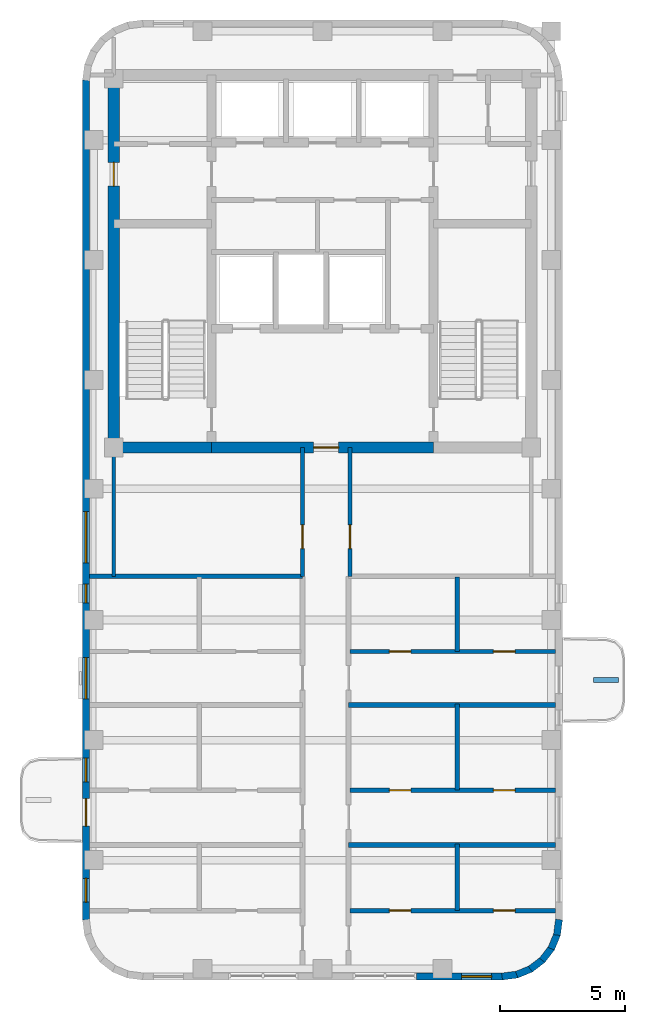
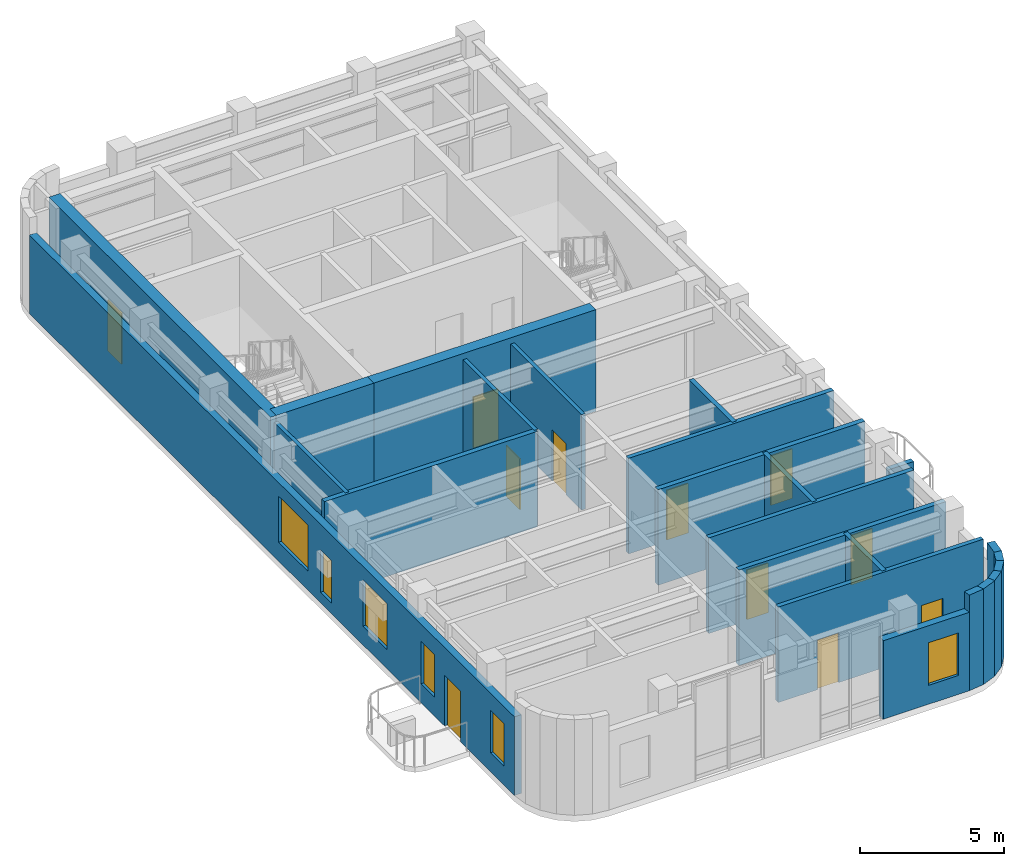
# One storey, part 3 of 6: 24 walls, 11 doors, 6 windows, 17 openings.
"""IFC4 building model written with IfcOpenShell, lengths in metres."""

from ifc_helpers import new_model, si_unit, direction, frame, frame_2d, origin, place, context, subcontext, project, spatial, rectangle, extrude, material, layer, layer_set, type_object, element, fill, save


model = new_model("IFC4")

# Units and contexts
model_context = context("Model", 3, precision=1e-05, world=origin(), true_north=direction((0.0, 1.0)))
body_context = subcontext(model_context, "Body", "Model", "MODEL_VIEW")
ifc_project = project(units=[si_unit("LENGTHUNIT", "METRE"), si_unit("AREAUNIT", "SQUARE_METRE"), si_unit("VOLUMEUNIT", "CUBIC_METRE"), si_unit("PLANEANGLEUNIT", "RADIAN"), si_unit("MASSUNIT", "GRAM", prefix="KILO")], contexts=[model_context])

# Site, building, storey
site_placement = place(None, origin())
site = spatial("IfcSite", under=ifc_project, at=site_placement, CompositionType="ELEMENT")
building_placement = place(site_placement, origin())
building = spatial("IfcBuilding", under=site, at=building_placement, Name="Orvandelia Arch Residences", CompositionType="ELEMENT")
storey_placement = place(building_placement, frame((0.0, 0.0, 252.699951171875)))
storey = spatial("IfcBuildingStorey", under=building, at=storey_placement, Name="L66", CompositionType="ELEMENT", Elevation=252.699951171875)

# Wall, opening, door
ifc_material_1 = material(Name="Concrete C50/60", Category="concrete")
ifc_layer_1 = layer(ifc_material_1, 0.449951171875, Name="Concrete C50/60", Category="concrete")
ifc_layer_set_1 = layer_set([ifc_layer_1], Name="Concrete C50/60")
wall_type_1 = type_object("IfcWallType", Name="WL-CORE-450", PredefinedType="SHEAR", material=ifc_layer_set_1)
wall_1_placement = place(storey_placement, frame((6.050048828125, 30.675048828125, 0.0), z_axis=(0.0, 0.0, 1.0), x_axis=(0.0, 1.0, 0.0)))
wall_1 = element("IfcWall", 1, at=wall_1_placement, inside=storey, type_object=wall_type_1, Name="Core Shear Wall L66-W", PredefinedType="SHEAR", context=body_context, shape_type="SweptSolid", body=[
    extrude(rectangle(XDim=15.349853515625, YDim=0.449951171875, at=frame_2d((7.6748046875, 0.0))), origin(), (0.0, 0.0, 1.0), 4.300048828125),
])
opening_1_placement = place(wall_1_placement, frame((10.675048828125, 0.0, 0.0)))
opening_1 = element("IfcOpeningElement", 2, at=opening_1_placement, cuts=wall_1, Name="Opening D2", PredefinedType="OPENING", context=body_context, shape_type="SweptSolid", body=[
    extrude(rectangle(XDim=0.949951171875, YDim=2.14990234375, at=frame_2d((0.47509765625, 1.074951171875))), frame((0.0, 0.23486328125, 0.0), z_axis=(0.0, -1.0, 0.0), x_axis=(1.0, 0.0, 0.0)), (0.0, 0.0, 1.0), 0.469970703125),
])
ifc_material_2 = material(Name="Solid-Core Timber Interior Fire Door", Category="wood")
door_type_1 = type_object("IfcDoorType", Name="DR-APT-950", OperationType="NOTDEFINED", PredefinedType="DOOR", material=ifc_material_2)
door_1_placement = place(opening_1_placement, origin())
door_1 = element("IfcDoor", 3, at=door_1_placement, inside=storey, type_object=door_type_1, Name="West Viewing Study Door L66", OperationType="SINGLE_SWING_RIGHT", OverallHeight=2.14990234375, OverallWidth=0.949951171875, PredefinedType="DOOR", context=body_context, shape_type="SweptSolid", body=[
    extrude(rectangle(XDim=0.949951171875, YDim=2.14990234375, at=frame_2d((0.47509765625, 1.074951171875))), frame((0.0, 0.02490234375, 0.0), z_axis=(0.0, -1.0, 0.0), x_axis=(1.0, 0.0, 0.0)), (0.0, 0.0, 1.0), 0.050048828125),
])
fill(opening_1, door_1)

# Wall
wall_2_placement = place(storey_placement, frame((6.050048828125, 30.89990234375, 0.0), z_axis=(0.0, 0.0, 1.0), x_axis=(1.0, 0.0, 0.0)))
element("IfcWall", 4, at=wall_2_placement, inside=storey, type_object=wall_type_1, Name="Core Shear Wall L66-SW", PredefinedType="SHEAR", context=body_context, shape_type="SweptSolid", body=[
    extrude(rectangle(XDim=3.909912109375, YDim=0.449951171875, at=frame_2d((1.955078125, 0.0))), origin(), (0.0, 0.0, 1.0), 4.300048828125),
])

# Wall, opening, door
wall_3_placement = place(storey_placement, frame((9.9599609375, 30.89990234375, 0.0), z_axis=(0.0, 0.0, 1.0), x_axis=(1.0, 0.0, 0.0)))
wall_3 = element("IfcWall", 5, at=wall_3_placement, inside=storey, type_object=wall_type_1, Name="Core Shear Wall L66-SM", PredefinedType="SHEAR", context=body_context, shape_type="SweptSolid", body=[
    extrude(rectangle(XDim=8.880126953125, YDim=0.449951171875, at=frame_2d((4.43994140625, 0.0))), origin(), (0.0, 0.0, 1.0), 4.300048828125),
])
opening_2_placement = place(wall_3_placement, frame((4.090087890625, 0.0, 0.0)))
opening_2 = element("IfcOpeningElement", 6, at=opening_2_placement, cuts=wall_3, Name="Opening D6", PredefinedType="OPENING", context=body_context, shape_type="SweptSolid", body=[
    extrude(rectangle(XDim=1.0, YDim=2.14990234375, at=frame_2d((0.5, 1.074951171875))), frame((0.0, 0.23486328125, 0.0), z_axis=(0.0, -1.0, 0.0), x_axis=(1.0, 0.0, 0.0)), (0.0, 0.0, 1.0), 0.469970703125),
])
ifc_material_3 = material(Name="Smokeproof Painted Steel Fire Door", Category="steel")
door_type_2 = type_object("IfcDoorType", Name="DR-FD60-1000", OperationType="NOTDEFINED", PredefinedType="DOOR", material=ifc_material_3)
door_2_placement = place(opening_2_placement, origin())
door_2 = element("IfcDoor", 7, at=door_2_placement, inside=storey, type_object=door_type_2, Name="Firefighting Lobby Smokeproof Door L66", OperationType="SINGLE_SWING_LEFT", OverallHeight=2.14990234375, OverallWidth=1.0, PredefinedType="DOOR", context=body_context, shape_type="SweptSolid", body=[
    extrude(rectangle(XDim=1.0, YDim=2.14990234375, at=frame_2d((0.5, 1.074951171875))), frame((0.0, 0.02490234375, 0.0), z_axis=(0.0, -1.0, 0.0), x_axis=(1.0, 0.0, 0.0)), (0.0, 0.0, 1.0), 0.050048828125),
])
fill(opening_2, door_2)

# Walls
ifc_material_4 = material(Name="Fire-Rated Corridor Partition")
ifc_layer_2 = layer(ifc_material_4, 0.199951171875, Name="Fire-Rated Corridor Partition")
ifc_layer_set_2 = layer_set([ifc_layer_2], Name="Fire-Rated Corridor Partition")
wall_type_2 = type_object("IfcWallType", Name="WL-CORR-200", PredefinedType="PARTITIONING", material=ifc_layer_set_2)
wall_4_placement = place(storey_placement, frame((5.080078125, 25.75, 0.0), z_axis=(0.0, 0.0, 1.0), x_axis=(1.0, 0.0, 0.0)))
element("IfcWall", 8, at=wall_4_placement, inside=storey, type_object=wall_type_2, Name="Interior Partition Wall WL-L66-WCLS-W", PredefinedType="PARTITIONING", context=body_context, shape_type="SweptSolid", body=[
    extrude(rectangle(XDim=8.52001953125, YDim=0.199951171875, at=frame_2d((4.260009765625, 0.0))), origin(), (0.0, 0.0, 1.0), 4.0400390625),
])
ifc_material_5 = material(Name="Concrete C40/50", Category="concrete")
ifc_layer_3 = layer(ifc_material_5, 0.199951171875, Name="Concrete C40/50", Category="concrete")
ifc_layer_set_3 = layer_set([ifc_layer_3], Name="Concrete C40/50")
wall_type_3 = type_object("IfcWallType", Name="WL-DEM-200", PredefinedType="SOLIDWALL", material=ifc_layer_set_3)
for number, where, z_axis, x_axis, name in (
    (9, (15.449951171875, 15.0, 0.0), (0.0, 0.0, 1.0), (1.0, 0.0, 0.0), "Interior Partition Wall WL-L66-DEM-WR-150"),
    (10, (15.449951171875, 20.60009765625, 0.0), (0.0, 0.0, 1.0), (1.0, 0.0, 0.0), "Interior Partition Wall WL-L66-DEM-WR-206"),
):
    element("IfcWall", number, at=place(storey_placement, frame(where, z_axis=z_axis, x_axis=x_axis)), inside=storey, type_object=wall_type_3, Name=name, PredefinedType="SOLIDWALL", context=body_context, shape_type="SweptSolid", body=[
        extrude(rectangle(XDim=8.27001953125, YDim=0.199951171875, at=frame_2d((4.135009765625, 0.0))), origin(), (0.0, 0.0, 1.0), 4.0400390625),
    ])
ifc_material_6 = material(Name="Precast concrete C40/50", Category="concrete")
ifc_layer_4 = layer(ifc_material_6, 0.280029296875, Name="Precast concrete C40/50", Category="concrete")
ifc_layer_set_4 = layer_set([ifc_layer_4], Name="Precast concrete C40/50")
wall_type_4 = type_object("IfcWallType", Name="WL-EXT-STONE-280", PredefinedType="STANDARD", material=ifc_layer_set_4)
for number, where, z_axis, x_axis, name in (
    (11, (23.861083984375, 12.018310546875, 0.0), (0.0, 0.0, 1.0), (-0.130555323746, -0.9914410257, 0.0), "Coral-Limestone Precast Facade Wall L66-015"),
    (12, (23.788818359375, 11.432373046875, 0.0), (0.0, 0.0, 1.0), (-0.382317370307, -0.924031075431, 0.0), "Coral-Limestone Precast Facade Wall L66-016"),
    (13, (23.5673828125, 10.88525390625, 0.0), (0.0, 0.0, 1.0), (-0.608693302629, -0.793405610854, 0.0), "Coral-Limestone Precast Facade Wall L66-017"),
    (14, (23.2119140625, 10.4140625, 0.0), (0.0, 0.0, 1.0), (-0.793405610854, -0.608693302629, 0.0), "Coral-Limestone Precast Facade Wall L66-018"),
    (15, (22.746337890625, 10.05078125, 0.0), (0.0, 0.0, 1.0), (-0.92389335771, -0.382650053678, 0.0), "Coral-Limestone Precast Facade Wall L66-019"),
    (16, (22.202880859375, 9.820556640625, 0.0), (0.0, 0.0, 1.0), (-0.9914410257, -0.130555323746, 0.0), "Coral-Limestone Precast Facade Wall L66-020"),
):
    element("IfcWall", number, at=place(storey_placement, frame(where, z_axis=z_axis, x_axis=x_axis)), inside=storey, type_object=wall_type_4, Name=name, PredefinedType="STANDARD", context=body_context, shape_type="SweptSolid", body=[
        extrude(rectangle(XDim=0.62646484375, YDim=0.280029296875, at=frame_2d((0.313232421875, 0.0))), origin(), (0.0, 0.0, 1.0), 4.0400390625),
    ])

# Wall, opening, window
wall_5_placement = place(storey_placement, frame((21.60009765625, 9.739990234375, 0.0), z_axis=(0.0, 0.0, 1.0), x_axis=(-1.0, 0.0, 0.0)))
wall_5 = element("IfcWall", 17, at=wall_5_placement, inside=storey, type_object=wall_type_4, Name="Coral-Limestone Precast Facade Wall L66-021", PredefinedType="STANDARD", context=body_context, shape_type="SweptSolid", body=[
    extrude(rectangle(XDim=3.440185546875, YDim=0.280029296875, at=frame_2d((1.72021484375, 0.0))), origin(), (0.0, 0.0, 1.0), 3.320068359375),
])
opening_3_placement = place(wall_5_placement, frame((0.4326171875, 0.0, 0.800048828125)))
opening_3 = element("IfcOpeningElement", 18, at=opening_3_placement, cuts=wall_5, Name="Opening W3", PredefinedType="OPENING", context=body_context, shape_type="SweptSolid", body=[
    extrude(rectangle(XDim=1.199951171875, YDim=1.800048828125, at=frame_2d((0.60009765625, 0.89990234375))), frame((0.0, 0.14990234375, 0.0), z_axis=(0.0, -1.0, 0.0), x_axis=(1.0, 0.0, 0.0)), (0.0, 0.0, 1.0), 0.300048828125),
])
ifc_material_7 = material(Name="Tempered Low-E Insulated Glazing", Category="glass")
window_type_1 = type_object("IfcWindowType", Name="WIN-RES-1200x1800", PartitioningType="SINGLE_PANEL", PredefinedType="WINDOW", material=ifc_material_7)
window_1_placement = place(opening_3_placement, origin())
window_1 = element("IfcWindow", 19, at=window_1_placement, inside=storey, type_object=window_type_1, Name="Recessed Punched Window L66-007", OverallHeight=1.800048828125, OverallWidth=1.199951171875, PartitioningType="SINGLE_PANEL", PredefinedType="WINDOW", context=body_context, shape_type="SweptSolid", body=[
    extrude(rectangle(XDim=1.199951171875, YDim=1.800048828125, at=frame_2d((0.60009765625, 0.89990234375))), frame((0.0, 0.030029296875, 0.0), z_axis=(0.0, -1.0, 0.0), x_axis=(1.0, 0.0, 0.0)), (0.0, 0.0, 1.0), 0.06005859375),
])
fill(opening_3, window_1)

# Wall, openings, door, windows
wall_6_placement = place(storey_placement, frame((4.93994140625, 12.0, 0.0), z_axis=(0.0, 0.0, 1.0), x_axis=(0.0, 1.0, 0.0)))
wall_6 = element("IfcWall", 20, at=wall_6_placement, inside=storey, type_object=wall_type_4, Name="Coral-Limestone Precast Facade Wall L66-030", PredefinedType="STANDARD", context=body_context, shape_type="SweptSolid", body=[
    extrude(rectangle(XDim=33.60009765625, YDim=0.280029296875, at=frame_2d((16.800048828125, 0.0))), origin(), (0.0, 0.0, 1.0), 3.320068359375),
])
opening_4_placement = place(wall_6_placement, frame((3.75, 0.0, 0.0)))
opening_4 = element("IfcOpeningElement", 21, at=opening_4_placement, cuts=wall_6, Name="Opening BD1", PredefinedType="OPENING", context=body_context, shape_type="SweptSolid", body=[
    extrude(rectangle(XDim=1.10009765625, YDim=2.14990234375, at=frame_2d((0.550048828125, 1.074951171875))), frame((0.0, 0.14990234375, 0.0), z_axis=(0.0, -1.0, 0.0), x_axis=(1.0, 0.0, 0.0)), (0.0, 0.0, 1.0), 0.300048828125),
])
opening_5_placement = place(wall_6_placement, frame((8.844970703125, 0.0, 0.800048828125)))
opening_5 = element("IfcOpeningElement", 22, at=opening_5_placement, cuts=wall_6, Name="Opening W9", PredefinedType="OPENING", context=body_context, shape_type="SweptSolid", body=[
    extrude(rectangle(XDim=1.64990234375, YDim=1.949951171875, at=frame_2d((0.824951171875, 0.97509765625))), frame((0.0, 0.14990234375, 0.0), z_axis=(0.0, -1.0, 0.0), x_axis=(1.0, 0.0, 0.0)), (0.0, 0.0, 1.0), 0.300048828125),
])
opening_6_placement = place(wall_6_placement, frame((0.715576171875, 0.0, 0.800048828125)))
opening_6 = element("IfcOpeningElement", 23, at=opening_6_placement, cuts=wall_6, Name="Opening W4", PredefinedType="OPENING", context=body_context, shape_type="SweptSolid", body=[
    extrude(rectangle(XDim=0.949951171875, YDim=1.800048828125, at=frame_2d((0.47509765625, 0.89990234375))), frame((0.0, 0.14990234375, 0.0), z_axis=(0.0, -1.0, 0.0), x_axis=(1.0, 0.0, 0.0)), (0.0, 0.0, 1.0), 0.300048828125),
])
opening_7_placement = place(wall_6_placement, frame((5.5234375, 0.0, 0.800048828125)))
opening_7 = element("IfcOpeningElement", 24, at=opening_7_placement, cuts=wall_6, Name="Opening W4", PredefinedType="OPENING", context=body_context, shape_type="SweptSolid", body=[
    extrude(rectangle(XDim=0.949951171875, YDim=1.800048828125, at=frame_2d((0.47509765625, 0.89990234375))), frame((0.0, 0.14990234375, 0.0), z_axis=(0.0, -1.0, 0.0), x_axis=(1.0, 0.0, 0.0)), (0.0, 0.0, 1.0), 0.300048828125),
])
opening_8_placement = place(wall_6_placement, frame((12.6826171875, 0.0, 0.449951171875)))
opening_8 = element("IfcOpeningElement", 25, at=opening_8_placement, cuts=wall_6, Name="Opening W11", PredefinedType="OPENING", context=body_context, shape_type="SweptSolid", body=[
    extrude(rectangle(XDim=0.75, YDim=1.800048828125, at=frame_2d((0.375, 0.89990234375))), frame((0.0, 0.14990234375, 0.0), z_axis=(0.0, -1.0, 0.0), x_axis=(1.0, 0.0, 0.0)), (0.0, 0.0, 1.0), 0.300048828125),
])
opening_9_placement = place(wall_6_placement, frame((14.282470703125, 0.0, 0.800048828125)))
opening_9 = element("IfcOpeningElement", 26, at=opening_9_placement, cuts=wall_6, Name="Opening W8", PredefinedType="OPENING", context=body_context, shape_type="SweptSolid", body=[
    extrude(rectangle(XDim=2.050048828125, YDim=1.949951171875, at=frame_2d((1.02490234375, 0.97509765625))), frame((0.0, 0.14990234375, 0.0), z_axis=(0.0, -1.0, 0.0), x_axis=(1.0, 0.0, 0.0)), (0.0, 0.0, 1.0), 0.300048828125),
])
ifc_material_8 = material(Name="Thermally Broken Aluminium Glazed Door", Category="aluminium")
door_type_3 = type_object("IfcDoorType", Name="DR-BAL-GLAZ-1100", OperationType="NOTDEFINED", PredefinedType="DOOR", material=ifc_material_8)
door_3_placement = place(opening_4_placement, origin())
door_3 = element("IfcDoor", 27, at=door_3_placement, inside=storey, type_object=door_type_3, Name="Tree Balcony Glazed Door BAL-L66-W1", OperationType="SINGLE_SWING_RIGHT", OverallHeight=2.14990234375, OverallWidth=1.10009765625, PredefinedType="DOOR", context=body_context, shape_type="SweptSolid", body=[
    extrude(rectangle(XDim=1.10009765625, YDim=2.14990234375, at=frame_2d((0.550048828125, 1.074951171875))), frame((0.0, 0.02490234375, 0.0), z_axis=(0.0, -1.0, 0.0), x_axis=(1.0, 0.0, 0.0)), (0.0, 0.0, 1.0), 0.050048828125),
])
fill(opening_4, door_3)
window_type_2 = type_object("IfcWindowType", Name="WIN-BED-0750x1800", PartitioningType="SINGLE_PANEL", PredefinedType="WINDOW", material=ifc_material_7)
window_2_placement = place(opening_8_placement, origin())
window_2 = element("IfcWindow", 28, at=window_2_placement, inside=storey, type_object=window_type_2, Name="Recessed Punched Window L66-012", OverallHeight=1.800048828125, OverallWidth=0.75, PartitioningType="SINGLE_PANEL", PredefinedType="WINDOW", context=body_context, shape_type="SweptSolid", body=[
    extrude(rectangle(XDim=0.75, YDim=1.800048828125, at=frame_2d((0.375, 0.89990234375))), frame((0.0, 0.030029296875, 0.0), z_axis=(0.0, -1.0, 0.0), x_axis=(1.0, 0.0, 0.0)), (0.0, 0.0, 1.0), 0.06005859375),
])
fill(opening_8, window_2)
window_type_3 = type_object("IfcWindowType", Name="WIN-RES-0950x1800", PartitioningType="SINGLE_PANEL", PredefinedType="WINDOW", material=ifc_material_7)
window_3_placement = place(opening_6_placement, origin())
window_3 = element("IfcWindow", 29, at=window_3_placement, inside=storey, type_object=window_type_3, Name="Recessed Punched Window L66-010", OverallHeight=1.800048828125, OverallWidth=0.949951171875, PartitioningType="SINGLE_PANEL", PredefinedType="WINDOW", context=body_context, shape_type="SweptSolid", body=[
    extrude(rectangle(XDim=0.949951171875, YDim=1.800048828125, at=frame_2d((0.47509765625, 0.89990234375))), frame((0.0, 0.030029296875, 0.0), z_axis=(0.0, -1.0, 0.0), x_axis=(1.0, 0.0, 0.0)), (0.0, 0.0, 1.0), 0.06005859375),
])
fill(opening_6, window_3)
window_4_placement = place(opening_7_placement, origin())
window_4 = element("IfcWindow", 30, at=window_4_placement, inside=storey, type_object=window_type_3, Name="Recessed Punched Window L66-011", OverallHeight=1.800048828125, OverallWidth=0.949951171875, PartitioningType="SINGLE_PANEL", PredefinedType="WINDOW", context=body_context, shape_type="SweptSolid", body=[
    extrude(rectangle(XDim=0.949951171875, YDim=1.800048828125, at=frame_2d((0.47509765625, 0.89990234375))), frame((0.0, 0.030029296875, 0.0), z_axis=(0.0, -1.0, 0.0), x_axis=(1.0, 0.0, 0.0)), (0.0, 0.0, 1.0), 0.06005859375),
])
fill(opening_7, window_4)
window_type_4 = type_object("IfcWindowType", Name="WIN-UPP-1650x1950", PartitioningType="SINGLE_PANEL", PredefinedType="WINDOW", material=ifc_material_7)
window_5_placement = place(opening_5_placement, origin())
window_5 = element("IfcWindow", 31, at=window_5_placement, inside=storey, type_object=window_type_4, Name="Recessed Punched Window L66-009", OverallHeight=1.949951171875, OverallWidth=1.64990234375, PartitioningType="SINGLE_PANEL", PredefinedType="WINDOW", context=body_context, shape_type="SweptSolid", body=[
    extrude(rectangle(XDim=1.64990234375, YDim=1.949951171875, at=frame_2d((0.824951171875, 0.97509765625))), frame((0.0, 0.030029296875, 0.0), z_axis=(0.0, -1.0, 0.0), x_axis=(1.0, 0.0, 0.0)), (0.0, 0.0, 1.0), 0.06005859375),
])
fill(opening_5, window_5)
window_type_5 = type_object("IfcWindowType", Name="WIN-UPP-2050x1950", PartitioningType="SINGLE_PANEL", PredefinedType="WINDOW", material=ifc_material_7)
window_6_placement = place(opening_9_placement, origin())
window_6 = element("IfcWindow", 32, at=window_6_placement, inside=storey, type_object=window_type_5, Name="Recessed Punched Window L66-013", OverallHeight=1.949951171875, OverallWidth=2.050048828125, PartitioningType="SINGLE_PANEL", PredefinedType="WINDOW", context=body_context, shape_type="SweptSolid", body=[
    extrude(rectangle(XDim=2.050048828125, YDim=1.949951171875, at=frame_2d((1.02490234375, 0.97509765625))), frame((0.0, 0.030029296875, 0.0), z_axis=(0.0, -1.0, 0.0), x_axis=(1.0, 0.0, 0.0)), (0.0, 0.0, 1.0), 0.06005859375),
])
fill(opening_9, window_6)

# Wall, opening, door
ifc_material_9 = material(Name="Acoustic Gypsum Stud Partition")
ifc_layer_5 = layer(ifc_material_9, 0.14990234375, Name="Acoustic Gypsum Stud Partition")
ifc_layer_set_5 = layer_set([ifc_layer_5], Name="Acoustic Gypsum Stud Partition")
wall_type_5 = type_object("IfcWallType", Name="WL-PART-150", PredefinedType="PARTITIONING", material=ifc_layer_set_5)
wall_7_placement = place(storey_placement, frame((13.60009765625, 25.75, 0.0), z_axis=(0.0, 0.0, 1.0), x_axis=(0.0, 1.0, 0.0)))
wall_7 = element("IfcWall", 33, at=wall_7_placement, inside=storey, type_object=wall_type_5, Name="Interior Partition Wall WL-L66-HI-W1", PredefinedType="PARTITIONING", context=body_context, shape_type="SweptSolid", body=[
    extrude(rectangle(XDim=5.14990234375, YDim=0.14990234375, at=frame_2d((2.574951171875, 0.0))), origin(), (0.0, 0.0, 1.0), 4.0400390625),
])
opening_10_placement = place(wall_7_placement, frame((1.10009765625, 0.0, 0.0)))
opening_10 = element("IfcOpeningElement", 34, at=opening_10_placement, cuts=wall_7, Name="Opening D2", PredefinedType="OPENING", context=body_context, shape_type="SweptSolid", body=[
    extrude(rectangle(XDim=0.949951171875, YDim=2.14990234375, at=frame_2d((0.47509765625, 1.074951171875))), frame((0.0, 0.0849609375, 0.0), z_axis=(0.0, -1.0, 0.0), x_axis=(1.0, 0.0, 0.0)), (0.0, 0.0, 1.0), 0.169921875),
])
door_4_placement = place(opening_10_placement, origin())
door_4 = element("IfcDoor", 35, at=door_4_placement, inside=storey, type_object=door_type_1, Name="DR-L66-HIR1", OperationType="SINGLE_SWING_LEFT", OverallHeight=2.14990234375, OverallWidth=0.949951171875, PredefinedType="DOOR", context=body_context, shape_type="SweptSolid", body=[
    extrude(rectangle(XDim=0.949951171875, YDim=2.14990234375, at=frame_2d((0.47509765625, 1.074951171875))), frame((0.0, 0.02490234375, 0.0), z_axis=(0.0, -1.0, 0.0), x_axis=(1.0, 0.0, 0.0)), (0.0, 0.0, 1.0), 0.050048828125),
])
fill(opening_10, door_4)

wall_8_placement = place(storey_placement, frame((15.5, 25.75, 0.0), z_axis=(0.0, 0.0, 1.0), x_axis=(0.0, 1.0, 0.0)))
wall_8 = element("IfcWall", 36, at=wall_8_placement, inside=storey, type_object=wall_type_5, Name="Interior Partition Wall WL-L66-HI-W2", PredefinedType="PARTITIONING", context=body_context, shape_type="SweptSolid", body=[
    extrude(rectangle(XDim=5.14990234375, YDim=0.14990234375, at=frame_2d((2.574951171875, 0.0))), origin(), (0.0, 0.0, 1.0), 4.0400390625),
])
opening_11_placement = place(wall_8_placement, frame((1.10009765625, 0.0, 0.0)))
opening_11 = element("IfcOpeningElement", 37, at=opening_11_placement, cuts=wall_8, Name="Opening D2", PredefinedType="OPENING", context=body_context, shape_type="SweptSolid", body=[
    extrude(rectangle(XDim=0.949951171875, YDim=2.14990234375, at=frame_2d((0.47509765625, 1.074951171875))), frame((0.0, 0.0849609375, 0.0), z_axis=(0.0, -1.0, 0.0), x_axis=(1.0, 0.0, 0.0)), (0.0, 0.0, 1.0), 0.169921875),
])
door_5_placement = place(opening_11_placement, origin())
door_5 = element("IfcDoor", 38, at=door_5_placement, inside=storey, type_object=door_type_1, Name="DR-L66-HIR2", OperationType="SINGLE_SWING_RIGHT", OverallHeight=2.14990234375, OverallWidth=0.949951171875, PredefinedType="DOOR", context=body_context, shape_type="SweptSolid", body=[
    extrude(rectangle(XDim=0.949951171875, YDim=2.14990234375, at=frame_2d((0.47509765625, 1.074951171875))), frame((0.0, 0.02490234375, 0.0), z_axis=(0.0, -1.0, 0.0), x_axis=(1.0, 0.0, 0.0)), (0.0, 0.0, 1.0), 0.050048828125),
])
fill(opening_11, door_5)

# Walls
wall_9_placement = place(storey_placement, frame((6.050048828125, 25.75, 0.0), z_axis=(0.0, 0.0, 1.0), x_axis=(0.0, 1.0, 0.0)))
element("IfcWall", 39, at=wall_9_placement, inside=storey, type_object=wall_type_5, Name="Interior Partition Wall WL-L66-HI-WW", PredefinedType="PARTITIONING", context=body_context, shape_type="SweptSolid", body=[
    extrude(rectangle(XDim=5.14990234375, YDim=0.14990234375, at=frame_2d((2.574951171875, 0.0))), origin(), (0.0, 0.0, 1.0), 4.0400390625),
])
ifc_layer_6 = layer(ifc_material_6, 0.199951171875, Name="Precast concrete C40/50", Category="concrete")
ifc_layer_set_6 = layer_set([ifc_layer_6], Name="Precast concrete C40/50")
wall_type_6 = type_object("IfcWallType", Name="WL-PLANTER-200", PredefinedType="MOVABLE", material=ifc_layer_set_6)
wall_10_placement = place(storey_placement, frame((25.25, 21.60009765625, 0.0), z_axis=(0.0, 0.0, 1.0), x_axis=(1.0, 0.0, 0.0)))
element("IfcWall", 40, at=wall_10_placement, inside=storey, type_object=wall_type_6, Name="Balcony Precast Tree Planter BAL-L66-W2", PredefinedType="MOVABLE", context=body_context, shape_type="SweptSolid", body=[
    extrude(rectangle(XDim=1.0, YDim=0.199951171875, at=frame_2d((0.5, 0.0))), origin(), (0.0, 0.0, 1.0), 0.85009765625),
])

# Wall, openings, doors
ifc_material_10 = material(Name="Moisture-Resistant Plumbing Wall")
ifc_layer_7 = layer(ifc_material_10, 0.179931640625, Name="Moisture-Resistant Plumbing Wall")
ifc_layer_set_7 = layer_set([ifc_layer_7], Name="Moisture-Resistant Plumbing Wall")
wall_type_7 = type_object("IfcWallType", Name="WL-WET-180", PredefinedType="PLUMBINGWALL", material=ifc_layer_set_7)
wall_11_placement = place(storey_placement, frame((15.510009765625, 12.3759765625, 0.0), z_axis=(0.0, 0.0, 1.0), x_axis=(1.0, 0.0, 0.0)))
wall_11 = element("IfcWall", 41, at=wall_11_placement, inside=storey, type_object=wall_type_7, Name="Interior Partition Wall WL-L66-U04-HZ", PredefinedType="PLUMBINGWALL", context=body_context, shape_type="SweptSolid", body=[
    extrude(rectangle(XDim=8.2099609375, YDim=0.179931640625, at=frame_2d((4.10498046875, 0.0))), origin(), (0.0, 0.0, 1.0), 4.0400390625),
])
opening_12_placement = place(wall_11_placement, frame((1.56494140625, 0.0, 0.0)))
opening_12 = element("IfcOpeningElement", 42, at=opening_12_placement, cuts=wall_11, Name="Opening D4", PredefinedType="OPENING", context=body_context, shape_type="SweptSolid", body=[
    extrude(rectangle(XDim=0.860107421875, YDim=2.10009765625, at=frame_2d((0.43017578125, 1.050048828125))), frame((0.0, 0.10009765625, 0.0), z_axis=(0.0, -1.0, 0.0), x_axis=(1.0, 0.0, 0.0)), (0.0, 0.0, 1.0), 0.199951171875),
])
opening_13_placement = place(wall_11_placement, frame((5.72998046875, 0.0, 0.0)))
opening_13 = element("IfcOpeningElement", 43, at=opening_13_placement, cuts=wall_11, Name="Opening D4", PredefinedType="OPENING", context=body_context, shape_type="SweptSolid", body=[
    extrude(rectangle(XDim=0.860107421875, YDim=2.10009765625, at=frame_2d((0.43017578125, 1.050048828125))), frame((0.0, 0.10009765625, 0.0), z_axis=(0.0, -1.0, 0.0), x_axis=(1.0, 0.0, 0.0)), (0.0, 0.0, 1.0), 0.199951171875),
])
ifc_material_11 = material(Name="Moisture-Sealed Timber Bathroom Door", Category="wood")
door_type_4 = type_object("IfcDoorType", Name="DR-WET-900", OperationType="NOTDEFINED", PredefinedType="DOOR", material=ifc_material_11)
door_6_placement = place(opening_12_placement, origin())
door_6 = element("IfcDoor", 44, at=door_6_placement, inside=storey, type_object=door_type_4, Name="DR-L66-U04-KIT", OperationType="SINGLE_SWING_RIGHT", OverallHeight=2.10009765625, OverallWidth=0.860107421875, PredefinedType="DOOR", context=body_context, shape_type="SweptSolid", body=[
    extrude(rectangle(XDim=0.860107421875, YDim=2.10009765625, at=frame_2d((0.43017578125, 1.050048828125))), frame((0.0, 0.02490234375, 0.0), z_axis=(0.0, -1.0, 0.0), x_axis=(1.0, 0.0, 0.0)), (0.0, 0.0, 1.0), 0.050048828125),
])
fill(opening_12, door_6)
door_7_placement = place(opening_13_placement, origin())
door_7 = element("IfcDoor", 45, at=door_7_placement, inside=storey, type_object=door_type_4, Name="DR-L66-U04-BTH", OperationType="SINGLE_SWING_LEFT", OverallHeight=2.10009765625, OverallWidth=0.860107421875, PredefinedType="DOOR", context=body_context, shape_type="SweptSolid", body=[
    extrude(rectangle(XDim=0.860107421875, YDim=2.10009765625, at=frame_2d((0.43017578125, 1.050048828125))), frame((0.0, 0.02490234375, 0.0), z_axis=(0.0, -1.0, 0.0), x_axis=(1.0, 0.0, 0.0)), (0.0, 0.0, 1.0), 0.050048828125),
])
fill(opening_13, door_7)

# Wall
wall_12_placement = place(storey_placement, frame((19.7900390625, 12.3759765625, 0.0), z_axis=(0.0, 0.0, 1.0), x_axis=(0.0, 1.0, 0.0)))
element("IfcWall", 46, at=wall_12_placement, inside=storey, type_object=wall_type_7, Name="Interior Partition Wall WL-L66-U04-V1", PredefinedType="PLUMBINGWALL", context=body_context, shape_type="SweptSolid", body=[
    extrude(rectangle(XDim=2.6640625, YDim=0.179931640625, at=frame_2d((1.33203125, 0.0))), origin(), (0.0, 0.0, 1.0), 4.0400390625),
])

# Wall, openings, doors
wall_13_placement = place(storey_placement, frame((15.510009765625, 17.19189453125, 0.0), z_axis=(0.0, 0.0, 1.0), x_axis=(1.0, 0.0, 0.0)))
wall_13 = element("IfcWall", 47, at=wall_13_placement, inside=storey, type_object=wall_type_7, Name="Interior Partition Wall WL-L66-U05-HZ", PredefinedType="PLUMBINGWALL", context=body_context, shape_type="SweptSolid", body=[
    extrude(rectangle(XDim=8.2099609375, YDim=0.179931640625, at=frame_2d((4.10498046875, 0.0))), origin(), (0.0, 0.0, 1.0), 4.0400390625),
])
opening_14_placement = place(wall_13_placement, frame((1.56494140625, 0.0, 0.0)))
opening_14 = element("IfcOpeningElement", 48, at=opening_14_placement, cuts=wall_13, Name="Opening D4", PredefinedType="OPENING", context=body_context, shape_type="SweptSolid", body=[
    extrude(rectangle(XDim=0.860107421875, YDim=2.10009765625, at=frame_2d((0.43017578125, 1.050048828125))), frame((0.0, 0.10009765625, 0.0), z_axis=(0.0, -1.0, 0.0), x_axis=(1.0, 0.0, 0.0)), (0.0, 0.0, 1.0), 0.199951171875),
])
opening_15_placement = place(wall_13_placement, frame((5.72998046875, 0.0, 0.0)))
opening_15 = element("IfcOpeningElement", 49, at=opening_15_placement, cuts=wall_13, Name="Opening D4", PredefinedType="OPENING", context=body_context, shape_type="SweptSolid", body=[
    extrude(rectangle(XDim=0.860107421875, YDim=2.10009765625, at=frame_2d((0.43017578125, 1.050048828125))), frame((0.0, 0.10009765625, 0.0), z_axis=(0.0, -1.0, 0.0), x_axis=(1.0, 0.0, 0.0)), (0.0, 0.0, 1.0), 0.199951171875),
])
door_8_placement = place(opening_14_placement, origin())
door_8 = element("IfcDoor", 50, at=door_8_placement, inside=storey, type_object=door_type_4, Name="DR-L66-U05-KIT", OperationType="SINGLE_SWING_LEFT", OverallHeight=2.10009765625, OverallWidth=0.860107421875, PredefinedType="DOOR", context=body_context, shape_type="SweptSolid", body=[
    extrude(rectangle(XDim=0.860107421875, YDim=2.10009765625, at=frame_2d((0.43017578125, 1.050048828125))), frame((0.0, 0.02490234375, 0.0), z_axis=(0.0, -1.0, 0.0), x_axis=(1.0, 0.0, 0.0)), (0.0, 0.0, 1.0), 0.050048828125),
])
fill(opening_14, door_8)
door_9_placement = place(opening_15_placement, origin())
door_9 = element("IfcDoor", 51, at=door_9_placement, inside=storey, type_object=door_type_4, Name="DR-L66-U05-BTH", OperationType="SINGLE_SWING_RIGHT", OverallHeight=2.10009765625, OverallWidth=0.860107421875, PredefinedType="DOOR", context=body_context, shape_type="SweptSolid", body=[
    extrude(rectangle(XDim=0.860107421875, YDim=2.10009765625, at=frame_2d((0.43017578125, 1.050048828125))), frame((0.0, 0.02490234375, 0.0), z_axis=(0.0, -1.0, 0.0), x_axis=(1.0, 0.0, 0.0)), (0.0, 0.0, 1.0), 0.050048828125),
])
fill(opening_15, door_9)

# Wall
wall_14_placement = place(storey_placement, frame((19.7900390625, 17.19189453125, 0.0), z_axis=(0.0, 0.0, 1.0), x_axis=(0.0, 1.0, 0.0)))
element("IfcWall", 52, at=wall_14_placement, inside=storey, type_object=wall_type_7, Name="Interior Partition Wall WL-L66-U05-V1", PredefinedType="PLUMBINGWALL", context=body_context, shape_type="SweptSolid", body=[
    extrude(rectangle(XDim=3.447998046875, YDim=0.179931640625, at=frame_2d((1.72412109375, 0.0))), origin(), (0.0, 0.0, 1.0), 4.0400390625),
])

# Wall, openings, doors
wall_15_placement = place(storey_placement, frame((15.510009765625, 22.739990234375, 0.0), z_axis=(0.0, 0.0, 1.0), x_axis=(1.0, 0.0, 0.0)))
wall_15 = element("IfcWall", 53, at=wall_15_placement, inside=storey, type_object=wall_type_7, Name="Interior Partition Wall WL-L66-U06-HZ", PredefinedType="PLUMBINGWALL", context=body_context, shape_type="SweptSolid", body=[
    extrude(rectangle(XDim=8.2099609375, YDim=0.179931640625, at=frame_2d((4.10498046875, 0.0))), origin(), (0.0, 0.0, 1.0), 4.0400390625),
])
opening_16_placement = place(wall_15_placement, frame((1.56494140625, 0.0, 0.0)))
opening_16 = element("IfcOpeningElement", 54, at=opening_16_placement, cuts=wall_15, Name="Opening D4", PredefinedType="OPENING", context=body_context, shape_type="SweptSolid", body=[
    extrude(rectangle(XDim=0.860107421875, YDim=2.10009765625, at=frame_2d((0.43017578125, 1.050048828125))), frame((0.0, 0.10009765625, 0.0), z_axis=(0.0, -1.0, 0.0), x_axis=(1.0, 0.0, 0.0)), (0.0, 0.0, 1.0), 0.199951171875),
])
opening_17_placement = place(wall_15_placement, frame((5.72998046875, 0.0, 0.0)))
opening_17 = element("IfcOpeningElement", 55, at=opening_17_placement, cuts=wall_15, Name="Opening D4", PredefinedType="OPENING", context=body_context, shape_type="SweptSolid", body=[
    extrude(rectangle(XDim=0.860107421875, YDim=2.10009765625, at=frame_2d((0.43017578125, 1.050048828125))), frame((0.0, 0.10009765625, 0.0), z_axis=(0.0, -1.0, 0.0), x_axis=(1.0, 0.0, 0.0)), (0.0, 0.0, 1.0), 0.199951171875),
])
door_10_placement = place(opening_16_placement, origin())
door_10 = element("IfcDoor", 56, at=door_10_placement, inside=storey, type_object=door_type_4, Name="DR-L66-U06-KIT", OperationType="SINGLE_SWING_RIGHT", OverallHeight=2.10009765625, OverallWidth=0.860107421875, PredefinedType="DOOR", context=body_context, shape_type="SweptSolid", body=[
    extrude(rectangle(XDim=0.860107421875, YDim=2.10009765625, at=frame_2d((0.43017578125, 1.050048828125))), frame((0.0, 0.02490234375, 0.0), z_axis=(0.0, -1.0, 0.0), x_axis=(1.0, 0.0, 0.0)), (0.0, 0.0, 1.0), 0.050048828125),
])
fill(opening_16, door_10)
door_11_placement = place(opening_17_placement, origin())
door_11 = element("IfcDoor", 57, at=door_11_placement, inside=storey, type_object=door_type_4, Name="DR-L66-U06-BTH", OperationType="SINGLE_SWING_LEFT", OverallHeight=2.10009765625, OverallWidth=0.860107421875, PredefinedType="DOOR", context=body_context, shape_type="SweptSolid", body=[
    extrude(rectangle(XDim=0.860107421875, YDim=2.10009765625, at=frame_2d((0.43017578125, 1.050048828125))), frame((0.0, 0.02490234375, 0.0), z_axis=(0.0, -1.0, 0.0), x_axis=(1.0, 0.0, 0.0)), (0.0, 0.0, 1.0), 0.050048828125),
])
fill(opening_17, door_11)

# Wall
wall_16_placement = place(storey_placement, frame((19.7900390625, 22.739990234375, 0.0), z_axis=(0.0, 0.0, 1.0), x_axis=(0.0, 1.0, 0.0)))
element("IfcWall", 58, at=wall_16_placement, inside=storey, type_object=wall_type_7, Name="Interior Partition Wall WL-L66-U06-V1", PredefinedType="PLUMBINGWALL", context=body_context, shape_type="SweptSolid", body=[
    extrude(rectangle(XDim=2.97998046875, YDim=0.179931640625, at=frame_2d((1.489990234375, 0.0))), origin(), (0.0, 0.0, 1.0), 4.0400390625),
])

save(model, "model.ifc")
